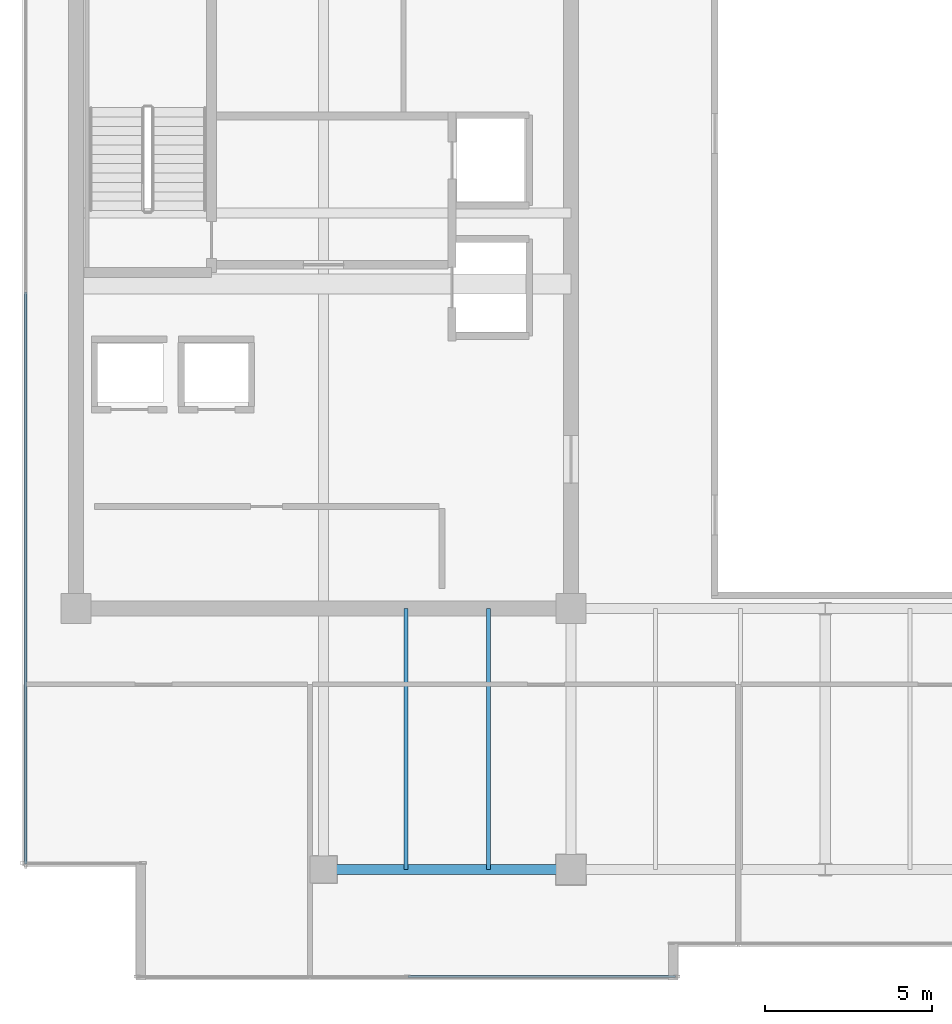
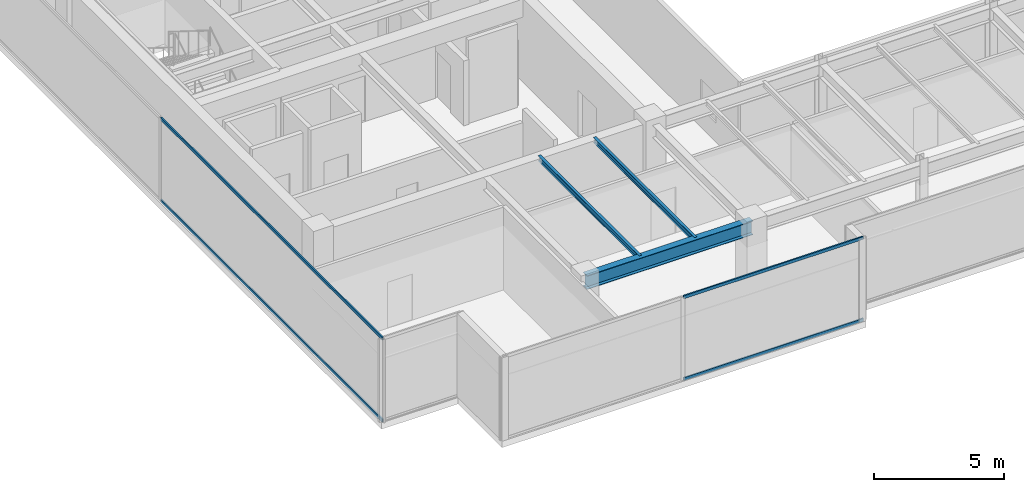
# One storey, part 6 of 34: 4 members, 3 beams, 2 elements without a shape of their own.
"""IFC4 building model written with IfcOpenShell, lengths in metres."""

import ifcopenshell
import ifcopenshell.guid

model = None  # the IFC model being written
_history = None  # IfcOwnerHistory: only IFC2X3 demands one
_inside = {}  # id of a spatial element -> (the spatial element, [elements in it])
_under = {}  # id of a project, library or spatial element -> (it, [spatial elements below it])
_declared = {}  # id of a project -> (the project, [libraries it declares])
_typed = {}  # id of a type object -> (the type object, [elements of that type])
_made_of = {}  # id of a material, layer set ... -> (it, [elements and type objects made of it])


def new_model(schema):
    """Start an empty IFC model of exactly this schema.

    Asked for "IFC4X3", IfcOpenShell would pick the latest addendum, in which some entities
    have other attributes; the version numbers below select the first issue.
    IFC2X3 requires an IfcOwnerHistory on every rooted entity: one is made here for all.
    """
    global model, _history
    if schema == "IFC4X3":
        model = ifcopenshell.file(schema_version=(4, 3, 0, 0))
    else:
        model = ifcopenshell.file(schema=schema)
    _inside.clear()
    _under.clear()
    _declared.clear()
    _typed.clear()
    _made_of.clear()
    _history = None
    if model.schema == "IFC2X3":
        org = make("IfcOrganization", Name="unknown")
        user = make(
            "IfcPersonAndOrganization",
            ThePerson=make("IfcPerson", FamilyName="unknown"),
            TheOrganization=org,
        )
        app = make(
            "IfcApplication",
            ApplicationDeveloper=org,
            Version="unknown",
            ApplicationFullName="unknown",
            ApplicationIdentifier="unknown",
        )
        _history = make(
            "IfcOwnerHistory",
            OwningUser=user,
            OwningApplication=app,
            ChangeAction="ADDED",
            CreationDate=0,
        )
    return model


def make(cls, **values):
    """One entity of the class cls with the attributes given. An attribute that is None is left unset."""
    return model.create_entity(
        cls, **{name: value for name, value in values.items() if value is not None}
    )


def rooted(cls, **values):
    """An entity with a GlobalId (a new one), such as an element, a storey or a relation."""
    return make(cls, GlobalId=ifcopenshell.guid.new(), OwnerHistory=_history, **values)


def si_unit(unit_type, name, prefix=None):
    """IfcSIUnit, for example si_unit("LENGTHUNIT", "METRE", prefix="MILLI")."""
    return make("IfcSIUnit", UnitType=unit_type, Prefix=prefix, Name=name)


def assignment(units):
    """IfcUnitAssignment: the units of a project."""
    return None if units is None else make("IfcUnitAssignment", Units=units)


def point(xyz):
    """IfcCartesianPoint."""
    return None if xyz is None else make("IfcCartesianPoint", Coordinates=xyz)


def direction(xyz):
    """IfcDirection."""
    return None if xyz is None else make("IfcDirection", DirectionRatios=xyz)


def frame(location, z_axis=None, x_axis=None):
    """IfcAxis2Placement3D, a coordinate frame: its origin and axes. An axis left out is left unset."""
    return make(
        "IfcAxis2Placement3D",
        Location=point(location),
        Axis=direction(z_axis),
        RefDirection=direction(x_axis),
    )


def frame_2d(location, x_axis=None):
    """IfcAxis2Placement2D, a coordinate frame in the plane: its origin and x axis."""
    return make(
        "IfcAxis2Placement2D", Location=point(location), RefDirection=direction(x_axis)
    )


def origin():
    """The frame at (0, 0, 0) with its axes left unset."""
    return frame((0.0, 0.0, 0.0))


def origin_2d():
    """The frame at (0, 0) in the plane with its x axis left unset."""
    return frame_2d((0.0, 0.0))


def place(relative_to, where):
    """IfcLocalPlacement: puts the frame where relative to a parent placement (None: the world)."""
    return make(
        "IfcLocalPlacement", PlacementRelTo=relative_to, RelativePlacement=where
    )


def context(
    kind, dimensions, precision=None, world=None, true_north=None, identifier=None
):
    """IfcGeometricRepresentationContext, for example the 3D "Model" context."""
    return make(
        "IfcGeometricRepresentationContext",
        ContextIdentifier=identifier,
        ContextType=kind,
        CoordinateSpaceDimension=dimensions,
        Precision=precision,
        WorldCoordinateSystem=world,
        TrueNorth=true_north,
    )


def subcontext(parent, identifier, kind, view, scale=None):
    """IfcGeometricRepresentationSubContext, for example "Body" below "Model"."""
    return make(
        "IfcGeometricRepresentationSubContext",
        ContextIdentifier=identifier,
        ContextType=kind,
        ParentContext=parent,
        TargetScale=scale,
        TargetView=view,
    )


def project(units=None, contexts=None):
    """IfcProject with its units and contexts."""
    return rooted(
        "IfcProject",
        Name="project",
        RepresentationContexts=contexts,
        UnitsInContext=assignment(units),
    )


def spatial(cls, under=None, at=None, **own):
    """A site, building, storey or space (cls), placed at a placement, below another one or the project."""
    s = rooted(cls, ObjectPlacement=at, **own)
    if under is not None:
        _under.setdefault(under.id(), (under, []))[1].append(s)
    return s


def profile(cls, at=None, kind="AREA", **sizes):
    """A parametric profile (cls). Its sizes go by their IFC names, for example OverallWidth=200.0."""
    return make(cls, ProfileType=kind, Position=at, **sizes)


def hollow_rectangle(**sizes):
    """IfcRectangleHollowProfileDef."""
    return profile("IfcRectangleHollowProfileDef", **sizes)


def i_section(**sizes):
    """IfcIShapeProfileDef."""
    return profile("IfcIShapeProfileDef", **sizes)


def extrude(swept, where, along, depth):
    """IfcExtrudedAreaSolid: the profile swept, set in the frame where, extruded along a direction by depth."""
    return make(
        "IfcExtrudedAreaSolid",
        SweptArea=swept,
        Position=where,
        ExtrudedDirection=direction(along),
        Depth=depth,
    )


def shape(context_of_items, identifier, shape_type, items):
    """IfcShapeRepresentation: the items that make up one representation, for example the "Body"."""
    return make(
        "IfcShapeRepresentation",
        ContextOfItems=context_of_items,
        RepresentationIdentifier=identifier,
        RepresentationType=shape_type,
        Items=items,
    )


def source(mapping_origin, context_of_items, identifier, shape_type, items):
    """IfcRepresentationMap: a shape defined once, which mapped items show again and again."""
    return make(
        "IfcRepresentationMap",
        MappingOrigin=mapping_origin,
        MappedRepresentation=shape(context_of_items, identifier, shape_type, items),
    )


def transform(
    local_origin,
    x_axis=None,
    y_axis=None,
    z_axis=None,
    scale=None,
    scale2=None,
    scale3=None,
    uniform=True,
):
    """IfcCartesianTransformationOperator3D, or its non-uniform kind. x_axis, y_axis, z_axis: its Axis1, 2, 3."""
    if uniform:
        return make(
            "IfcCartesianTransformationOperator3D",
            Axis1=direction(x_axis),
            Axis2=direction(y_axis),
            LocalOrigin=point(local_origin),
            Scale=scale,
            Axis3=direction(z_axis),
        )
    return make(
        "IfcCartesianTransformationOperator3DnonUniform",
        Axis1=direction(x_axis),
        Axis2=direction(y_axis),
        LocalOrigin=point(local_origin),
        Scale=scale,
        Axis3=direction(z_axis),
        Scale2=scale2,
        Scale3=scale3,
    )


def mapped(mapping_source, mapping_target):
    """IfcMappedItem: shows the shape of a source again, moved by a transform."""
    return make(
        "IfcMappedItem", MappingSource=mapping_source, MappingTarget=mapping_target
    )


def material(Name=None, Category=None):
    """IfcMaterial."""
    return make("IfcMaterial", Name=Name, Category=Category)


def layer(
    of_material, thickness, ventilated=None, Name=None, Category=None, Priority=None
):
    """IfcMaterialLayer: one layer of a wall or slab, of a material (None: an air gap)."""
    return make(
        "IfcMaterialLayer",
        Material=of_material,
        LayerThickness=thickness,
        IsVentilated=ventilated,
        Name=Name,
        Category=Category,
        Priority=Priority,
    )


def layer_set(layers, Name=None):
    """IfcMaterialLayerSet."""
    return make("IfcMaterialLayerSet", MaterialLayers=layers, LayerSetName=Name)


def material_profile(
    of_material, cross_section, Name=None, Category=None, Priority=None
):
    """IfcMaterialProfile: a cross section and its material."""
    return make(
        "IfcMaterialProfile",
        Name=Name,
        Material=of_material,
        Profile=cross_section,
        Priority=Priority,
        Category=Category,
    )


def profile_set(profiles, Name=None, composite=None):
    """IfcMaterialProfileSet."""
    return make(
        "IfcMaterialProfileSet",
        Name=Name,
        MaterialProfiles=profiles,
        CompositeProfile=composite,
    )


def made_of(thing, what):
    """Note that an element or type object is made of a material, layer set ...; save() writes the relation."""
    if what is not None:
        _made_of.setdefault(what.id(), (what, []))[1].append(thing)
    return thing


def type_object(cls, material=None, **own):
    """A type object (cls), such as IfcWallType, which elements share."""
    return made_of(rooted(cls, **own), material)


def type_shapes(of_type, sources):
    """Give a type object the sources (RepresentationMaps) that its elements show as mapped items."""
    of_type.RepresentationMaps = sources


def element(
    cls,
    number,
    at=None,
    inside=None,
    cuts=None,
    type_object=None,
    material=None,
    context=None,
    identifier="Body",
    shape_type=None,
    held_by="IfcProductDefinitionShape",
    body=None,
    shapes=None,
    **own,
):
    """One element of the class cls, such as IfcWall. Its Tag is "e" and its number.

    at: its placement. inside: the storey or other place that contains it. cuts: it is an
    opening in that element (IfcRelVoidsElement). A single representation is given by context,
    identifier, shape_type and body (its items); several are given by shapes. held_by: the class
    of the entity that holds the representations. save() writes the other relations.
    """
    e = rooted(cls, Tag="e%d" % number, ObjectPlacement=at, **own)
    if body is not None:
        shapes = [shape(context, identifier, shape_type, body)]
    if shapes is not None:
        e.Representation = make(held_by, Representations=shapes)
    if inside is not None:
        _inside.setdefault(inside.id(), (inside, []))[1].append(e)
    if cuts is not None:
        rooted(
            "IfcRelVoidsElement", RelatingBuildingElement=cuts, RelatedOpeningElement=e
        )
    if type_object is not None:
        _typed.setdefault(type_object.id(), (type_object, []))[1].append(e)
    return made_of(e, material)


def aggregate(whole, parts):
    """IfcRelAggregates: a whole, such as a stair, and the parts it consists of."""
    return rooted("IfcRelAggregates", RelatingObject=whole, RelatedObjects=parts)


def save(model, path):
    """Write the relations noted so far, then the file.

    IfcRelAggregates (storeys below a building ...), IfcRelContainedInSpatialStructure (elements
    in a storey), IfcRelDefinesByType, IfcRelAssociatesMaterial and IfcRelDeclares: one each for
    every whole, place, type object, material and project.
    """
    for whole, parts in _under.values():
        aggregate(whole, parts)
    for where, things in _inside.values():
        rooted(
            "IfcRelContainedInSpatialStructure",
            RelatedElements=things,
            RelatingStructure=where,
        )
    for kind, things in _typed.values():
        rooted("IfcRelDefinesByType", RelatedObjects=things, RelatingType=kind)
    for what, things in _made_of.values():
        rooted("IfcRelAssociatesMaterial", RelatedObjects=things, RelatingMaterial=what)
    for by, libraries in _declared.values():
        rooted("IfcRelDeclares", RelatingContext=by, RelatedDefinitions=libraries)
    model.write(path)


model = new_model("IFC4")

# Units and contexts
model_context = context("Model", 3, precision=1e-05, world=origin(), true_north=direction((0.0, 1.0)))
body_context = subcontext(model_context, "Body", "Model", "MODEL_VIEW")
ifc_project = project(units=[si_unit("LENGTHUNIT", "METRE"), si_unit("AREAUNIT", "SQUARE_METRE"), si_unit("VOLUMEUNIT", "CUBIC_METRE"), si_unit("PLANEANGLEUNIT", "RADIAN"), si_unit("MASSUNIT", "GRAM", prefix="KILO")], contexts=[model_context])

# Site, building, storey
site_placement = place(None, origin())
site = spatial("IfcSite", under=ifc_project, at=site_placement, CompositionType="ELEMENT")
building_placement = place(site_placement, origin())
building = spatial("IfcBuilding", under=site, at=building_placement, Name="Haelvirn Gate Laboratories", CompositionType="ELEMENT")
storey_placement = place(building_placement, frame((0.0, 0.0, 322.800048828125)))
storey = spatial("IfcBuildingStorey", under=building, at=storey_placement, Name="L77", CompositionType="ELEMENT", Elevation=322.800048828125)

# Beams
ifc_material_1 = material(Name="Steel SM355", Category="steel")
ifc_material_profile_1 = material_profile(ifc_material_1, i_section(OverallWidth=0.300048828125, OverallDepth=0.64990234375, WebThickness=0.012939453125, FlangeThickness=0.02197265625, at=origin_2d()), Name="H-650x300x13x22")
ifc_profile_set_1 = profile_set([ifc_material_profile_1], Name="Steel SM355")
beam_type_1 = type_object("IfcBeamType", Name="BM-G-650", PredefinedType="BEAM", material=ifc_profile_set_1)
shared_shape_1 = source(origin(), body_context, "Body", "SweptSolid", [
    extrude(i_section(OverallWidth=0.300048828125, OverallDepth=0.64990234375, WebThickness=0.012939453125, FlangeThickness=0.02197265625, at=origin_2d()), origin(), (0.0, 0.0, 1.0), 7.39990234375),
])
type_shapes(beam_type_1, [shared_shape_1])
beam_placement = place(storey_placement, frame((14.800048828125, 7.0, 3.594970703125), z_axis=(1.0, 0.0, 0.0), x_axis=(0.0, 1.0, 0.0)))
element("IfcBeam", 1, at=beam_placement, inside=storey, type_object=beam_type_1, Name="L77 Primary Girder Y7.0 (14.8-22.2)", PredefinedType="BEAM", context=body_context, shape_type="MappedRepresentation", body=[
    mapped(shared_shape_1, transform((0.0, 0.0, 0.0), scale=1.0)),
])
ifc_material_profile_2 = material_profile(ifc_material_1, i_section(OverallWidth=0.125, OverallDepth=0.25, WebThickness=0.006103515625, FlangeThickness=0.009033203125, at=origin_2d()), Name="H-250x125x6x9")
ifc_profile_set_2 = profile_set([ifc_material_profile_2], Name="Steel SM355")
beam_type_2 = type_object("IfcBeamType", Name="BM-J-250", PredefinedType="JOIST", material=ifc_profile_set_2)
shared_shape_2 = source(origin(), body_context, "Body", "SweptSolid", [
    extrude(i_section(OverallWidth=0.125, OverallDepth=0.25, WebThickness=0.006103515625, FlangeThickness=0.009033203125, at=origin_2d()), origin(), (0.0, 0.0, 1.0), 7.800048828125),
])
type_shapes(beam_type_2, [shared_shape_2])
for number, where, z_axis, x_axis, name in (
    (2, (17.27001953125, 7.0, 3.794921875), (0.0, 1.0, 0.0), (-1.0, 0.0, 0.0), "L77 Composite Lab Joist South X17.27"),
    (3, (19.72998046875, 7.0, 3.794921875), (0.0, 1.0, 0.0), (-1.0, 0.0, 0.0), "L77 Composite Lab Joist South X19.73"),
):
    element("IfcBeam", number, at=place(storey_placement, frame(where, z_axis=z_axis, x_axis=x_axis)), inside=storey, type_object=beam_type_2, Name=name, PredefinedType="JOIST", context=body_context, shape_type="MappedRepresentation", body=[
        mapped(shared_shape_2, transform((0.0, 0.0, 0.0), scale=1.0)),
    ])

# Curtain wall, members
ifc_material_2 = material(Name="Anodised bronze unitised aluminium & triple low-E glass", Category="aluminium")
ifc_layer = layer(ifc_material_2, 0.176025390625, Name="CW-SYS-4")
ifc_layer_set = layer_set([ifc_layer], Name="Anodised bronze unitised aluminium & triple low-E glass")
curtain_wall_type = type_object("IfcCurtainWallType", Name="CW-SYS-4", PredefinedType="NOTDEFINED", material=ifc_layer_set)
curtain_wall_1_placement = place(storey_placement, origin())
curtain_wall_1 = element("IfcCurtainWall", 4, at=curtain_wall_1_placement, inside=storey, type_object=curtain_wall_type, Name="L77 Unitised Curtain Wall CW-L77-P0-E17", PredefinedType="NOTDEFINED")
ifc_material_3 = material(Name="Extruded aluminium 6063-T6 (anodised bronze)", Category="aluminium")
ifc_material_profile_3 = material_profile(ifc_material_3, hollow_rectangle(XDim=0.06494140625, YDim=0.139892578125, WallThickness=0.00390625, at=origin_2d()), Name="CWT-140x65x4")
ifc_profile_set_3 = profile_set([ifc_material_profile_3], Name="Extruded aluminium 6063-T6 (anodised bronze)")
member_type = type_object("IfcMemberType", Name="CWT-T140", PredefinedType="USERDEFINED", material=ifc_profile_set_3)
shared_shape_3 = source(origin(), body_context, "Body", "SweptSolid", [
    extrude(hollow_rectangle(XDim=0.06494140625, YDim=0.139892578125, WallThickness=0.00390625, at=origin_2d()), origin(), (0.0, 0.0, 1.0), 17.094970703125),
])
member_1_placement = place(storey_placement, frame((5.89990234375, 24.264892578125, 0.032470703125), z_axis=(0.0, -1.0, 0.0), x_axis=(1.0, 0.0, 0.0)))
member_1 = element("IfcMember", 5, at=member_1_placement, type_object=member_type, Name="CW4 transom 2.1", ObjectType="TRANSOM", PredefinedType="USERDEFINED", context=body_context, shape_type="MappedRepresentation", body=[
    mapped(shared_shape_3, transform((0.0, 0.0, 0.0), scale=1.0)),
])
member_2_placement = place(storey_placement, frame((5.89990234375, 24.264892578125, 3.887451171875), z_axis=(0.0, -1.0, 0.0), x_axis=(1.0, 0.0, 0.0)))
member_2 = element("IfcMember", 6, at=member_2_placement, type_object=member_type, Name="CW4 transom 2.2", ObjectType="TRANSOM", PredefinedType="USERDEFINED", context=body_context, shape_type="MappedRepresentation", body=[
    mapped(shared_shape_3, transform((0.0, 0.0, 0.0), scale=1.0)),
])
aggregate(curtain_wall_1, [member_1, member_2])

curtain_wall_2_placement = place(storey_placement, origin())
curtain_wall_2 = element("IfcCurtainWall", 7, at=curtain_wall_2_placement, inside=storey, type_object=curtain_wall_type, Name="L77 Unitised Curtain Wall CW-L77-P0-E00-1", PredefinedType="NOTDEFINED")
shared_shape_4 = source(origin(), body_context, "Body", "SweptSolid", [
    extrude(hollow_rectangle(XDim=0.06494140625, YDim=0.139892578125, WallThickness=0.00390625, at=origin_2d()), origin(), (0.0, 0.0, 1.0), 7.9951171875),
])
type_shapes(member_type, [shared_shape_3, shared_shape_4])
member_3_placement = place(storey_placement, frame((17.3349609375, 3.800048828125, 0.032470703125), z_axis=(1.0, 0.0, 0.0), x_axis=(0.0, 1.0, 0.0)))
member_3 = element("IfcMember", 8, at=member_3_placement, type_object=member_type, Name="CW4 transom 2.1", ObjectType="TRANSOM", PredefinedType="USERDEFINED", context=body_context, shape_type="MappedRepresentation", body=[
    mapped(shared_shape_4, transform((0.0, 0.0, 0.0), scale=1.0)),
])
member_4_placement = place(storey_placement, frame((17.3349609375, 3.800048828125, 3.887451171875), z_axis=(1.0, 0.0, 0.0), x_axis=(0.0, 1.0, 0.0)))
member_4 = element("IfcMember", 9, at=member_4_placement, type_object=member_type, Name="CW4 transom 2.2", ObjectType="TRANSOM", PredefinedType="USERDEFINED", context=body_context, shape_type="MappedRepresentation", body=[
    mapped(shared_shape_4, transform((0.0, 0.0, 0.0), scale=1.0)),
])
aggregate(curtain_wall_2, [member_3, member_4])

save(model, "model.ifc")
